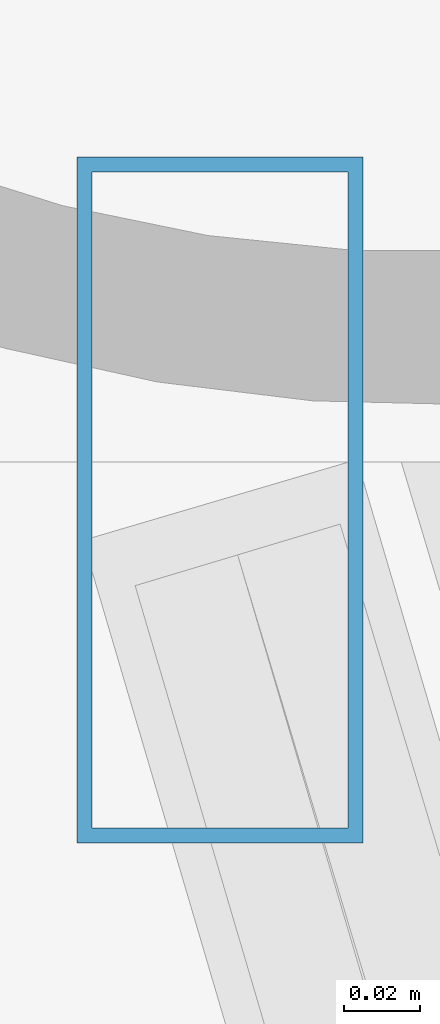
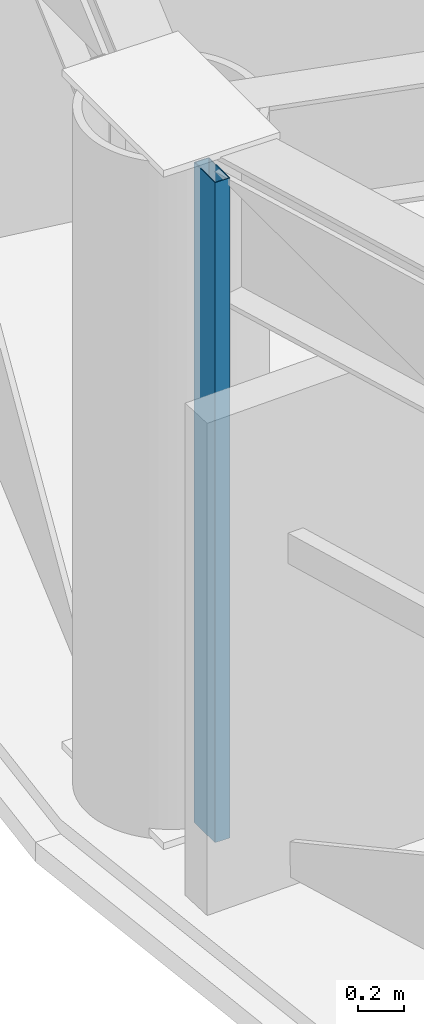
# One storey, part 6 of 32: 1 member, 1 element without a shape of its own.
"""IFC4 building model written with IfcOpenShell, lengths in metres."""

from ifc_helpers import new_model, si_unit, direction, frame, origin, origin_2d, place, context, subcontext, project, spatial, hollow_rectangle, extrude, material, layer, layer_set, material_profile, profile_set, type_object, element, aggregate, save


model = new_model("IFC4")

# Units and contexts
model_context = context("Model", 3, precision=1e-05, world=origin(), true_north=direction((0.0, 1.0)))
body_context = subcontext(model_context, "Body", "Model", "MODEL_VIEW")
ifc_project = project(units=[si_unit("LENGTHUNIT", "METRE"), si_unit("AREAUNIT", "SQUARE_METRE"), si_unit("VOLUMEUNIT", "CUBIC_METRE"), si_unit("PLANEANGLEUNIT", "RADIAN"), si_unit("MASSUNIT", "GRAM", prefix="KILO")], contexts=[model_context])

# Site, building, storey
site_placement = place(None, origin())
site = spatial("IfcSite", under=ifc_project, at=site_placement, CompositionType="ELEMENT")
building_placement = place(site_placement, origin())
building = spatial("IfcBuilding", under=site, at=building_placement, Name="Vantalir Tower", CompositionType="ELEMENT")
storey_placement = place(building_placement, frame((0.0, 0.0, 45.75)))
storey = spatial("IfcBuildingStorey", under=building, at=storey_placement, Name="L10", CompositionType="ELEMENT", Elevation=45.75)

# Curtain wall, member
ifc_material_1 = material(Name="Champagne-silver PVDF aluminium and double-silver Low-E glass", Category="aluminium")
ifc_layer = layer(ifc_material_1, 0.18994140625)
ifc_layer_set = layer_set([ifc_layer], Name="Champagne-silver PVDF aluminium and double-silver Low-E glass")
curtain_wall_type = type_object("IfcCurtainWallType", Name="CW-DIAMOND-Z1", PredefinedType="USERDEFINED", material=ifc_layer_set)
curtain_wall_placement = place(storey_placement, origin())
curtain_wall = element("IfcCurtainWall", 1, at=curtain_wall_placement, inside=storey, type_object=curtain_wall_type, Name="L10 Quilted Pyramid-Diamond Curtain Wall S07", ObjectType="UNITISED CURTAIN WALL", PredefinedType="USERDEFINED")
ifc_material_2 = material(Name="Champagne-silver PVDF aluminium 6063-T6", Category="aluminium")
ifc_material_profile = material_profile(ifc_material_2, hollow_rectangle(XDim=0.074951171875, YDim=0.179931640625, WallThickness=0.00390625, at=origin_2d()), Name="Champagne-silver PVDF aluminium 6063-T6")
ifc_profile_set = profile_set([ifc_material_profile], Name="Champagne-silver PVDF aluminium 6063-T6")
member_type = type_object("IfcMemberType", Name="CWM-180x75", PredefinedType="MULLION", material=ifc_profile_set)
member_placement = place(storey_placement, frame((4.805908203125, 24.550048828125, 0.044921875), z_axis=(0.0, 0.0, 1.0), x_axis=(1.0, 0.0, 0.0)))
member = element("IfcMember", 2, at=member_placement, type_object=member_type, Name="CW-L10-S07 Mullion 1", PredefinedType="MULLION", context=body_context, shape_type="SweptSolid", body=[
    extrude(hollow_rectangle(XDim=0.074951171875, YDim=0.179931640625, WallThickness=0.00390625, at=origin_2d()), origin(), (0.0, 0.0, 1.0), 3.47998046875),
])
aggregate(curtain_wall, [member])

save(model, "model.ifc")
